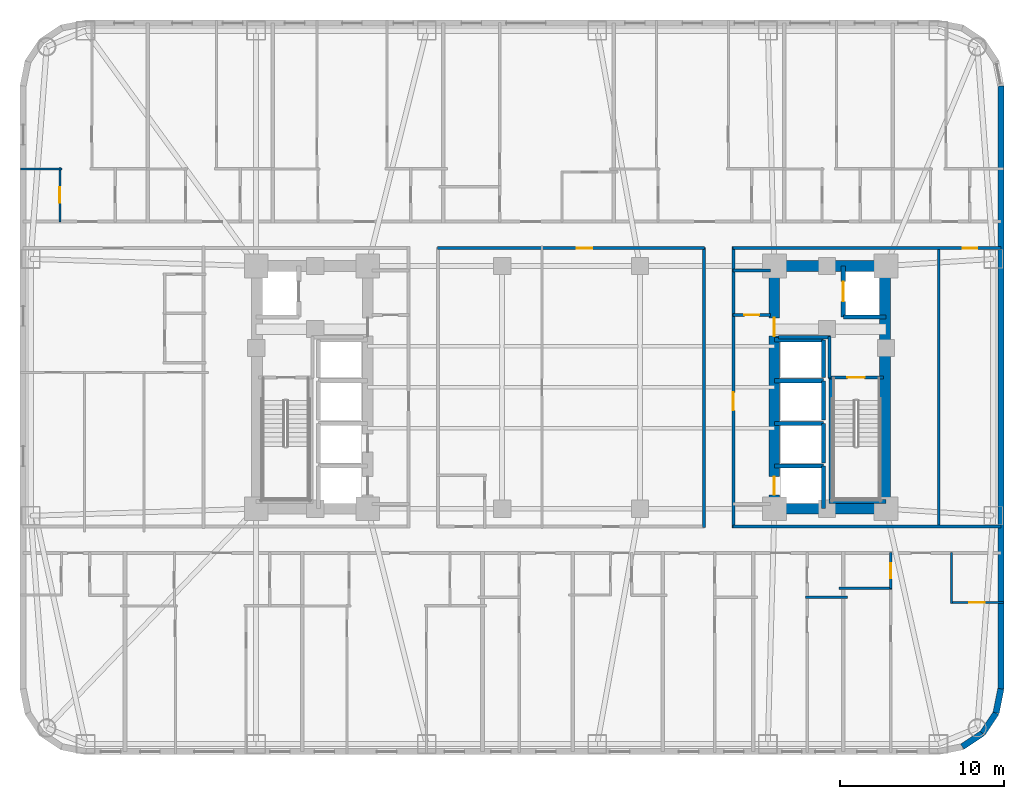
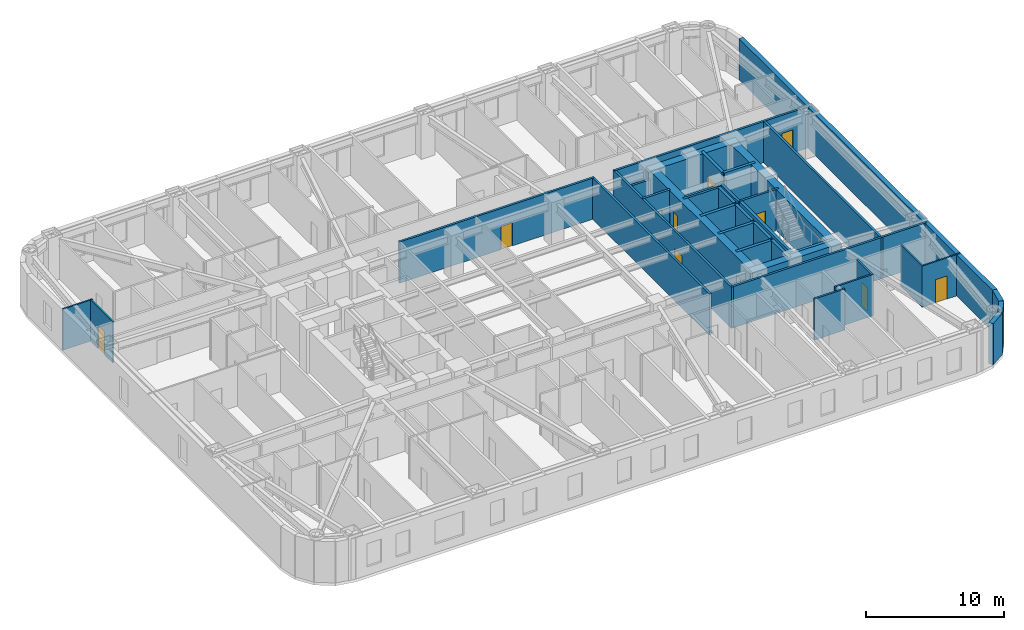
# One storey, part 6 of 11: 38 walls, 11 doors, 11 openings.
"""IFC4 building model written with IfcOpenShell, lengths in metres."""

from ifc_helpers import new_model, si_unit, direction, frame, frame_2d, origin, place, context, subcontext, project, spatial, rectangle, extrude, material, layer, layer_set, type_object, element, fill, save


model = new_model("IFC4")

# Units and contexts
model_context = context("Model", 3, precision=1e-05, world=origin(), true_north=direction((0.0, 1.0)))
body_context = subcontext(model_context, "Body", "Model", "MODEL_VIEW")
ifc_project = project(units=[si_unit("LENGTHUNIT", "METRE"), si_unit("AREAUNIT", "SQUARE_METRE"), si_unit("VOLUMEUNIT", "CUBIC_METRE"), si_unit("PLANEANGLEUNIT", "RADIAN"), si_unit("MASSUNIT", "GRAM", prefix="KILO")], contexts=[model_context])

# Site, building, storey
site_placement = place(None, origin())
site = spatial("IfcSite", under=ifc_project, at=site_placement, CompositionType="ELEMENT")
building_placement = place(site_placement, origin())
building = spatial("IfcBuilding", under=site, at=building_placement, Name="Voryun Gate Residences", CompositionType="ELEMENT")
storey_placement = place(building_placement, frame((0.0, 0.0, 45.5)))
storey = spatial("IfcBuildingStorey", under=building, at=storey_placement, Name="L10", CompositionType="ELEMENT", Elevation=45.5)

# Walls
ifc_material_1 = material(Name="Concrete C60/75", Category="concrete")
ifc_layer_1 = layer(ifc_material_1, 0.64990234375, Name="CW_CORE_650")
ifc_layer_set_1 = layer_set([ifc_layer_1], Name="Concrete C60/75")
wall_type_1 = type_object("IfcWallType", Name="CW_CORE_650", PredefinedType="SHEAR", material=ifc_layer_set_1)
for number, where, z_axis, x_axis, name in (
    (1, (12.074951171875, -7.39990234375, 0.0), (0.0, 0.0, 1.0), (1.0, 0.0, 0.0), "L10 Core shear wall CW-L10-ES"),
    (2, (12.074951171875, 7.39990234375, 0.0), (0.0, 0.0, 1.0), (1.0, 0.0, 0.0), "L10 Core shear wall CW-L10-EN"),
):
    element("IfcWall", number, at=place(storey_placement, frame(where, z_axis=z_axis, x_axis=x_axis)), inside=storey, type_object=wall_type_1, Name=name, PredefinedType="SHEAR", context=body_context, shape_type="SweptSolid", body=[
        extrude(rectangle(XDim=7.449951171875, YDim=0.64990234375, at=frame_2d((3.72509765625, 0.0))), origin(), (0.0, 0.0, 1.0), 3.64990234375),
    ])

# Wall, openings, doors
wall_1_placement = place(storey_placement, frame((12.39990234375, -7.39990234375, 0.0), z_axis=(0.0, 0.0, 1.0), x_axis=(0.0, 1.0, 0.0)))
wall_1 = element("IfcWall", 3, at=wall_1_placement, inside=storey, type_object=wall_type_1, Name="L10 Core shear wall CW-L10-EW", PredefinedType="SHEAR", context=body_context, shape_type="SweptSolid", body=[
    extrude(rectangle(XDim=14.7998046875, YDim=0.64990234375, at=frame_2d((7.39990234375, 0.0))), origin(), (0.0, 0.0, 1.0), 3.64990234375),
])
opening_1_placement = place(wall_1_placement, frame((0.85009765625, 0.0, 0.0)))
opening_1 = element("IfcOpeningElement", 4, at=opening_1_placement, cuts=wall_1, Name="Opening LD2", PredefinedType="OPENING", context=body_context, shape_type="SweptSolid", body=[
    extrude(rectangle(XDim=1.10009765625, YDim=2.050048828125, at=frame_2d((0.550048828125, 1.02490234375))), frame((0.0, 0.3349609375, 0.0), z_axis=(0.0, -1.0, 0.0), x_axis=(1.0, 0.0, 0.0)), (0.0, 0.0, 1.0), 0.669921875),
])
opening_2_placement = place(wall_1_placement, frame((10.530029296875, 0.0, 0.0)))
opening_2 = element("IfcOpeningElement", 5, at=opening_2_placement, cuts=wall_1, Name="Opening D-FD60-2", PredefinedType="OPENING", context=body_context, shape_type="SweptSolid", body=[
    extrude(rectangle(XDim=1.10009765625, YDim=2.050048828125, at=frame_2d((0.550048828125, 1.02490234375))), frame((0.0, 0.3349609375, 0.0), z_axis=(0.0, -1.0, 0.0), x_axis=(1.0, 0.0, 0.0)), (0.0, 0.0, 1.0), 0.669921875),
])
ifc_material_2 = material(Name="Painted steel fire door", Category="steel")
door_type_1 = type_object("IfcDoorType", Name="DR_FD60_FFLOB_1100", OperationType="NOTDEFINED", PredefinedType="DOOR", material=ifc_material_2)
door_1_placement = place(opening_2_placement, origin())
door_1 = element("IfcDoor", 6, at=door_1_placement, inside=storey, type_object=door_type_1, Name="Door DR-L10-CLOB-E", OperationType="SINGLE_SWING_RIGHT", OverallHeight=2.050048828125, OverallWidth=1.10009765625, PredefinedType="DOOR", context=body_context, shape_type="SweptSolid", body=[
    extrude(rectangle(XDim=1.10009765625, YDim=2.050048828125, at=frame_2d((0.550048828125, 1.02490234375))), frame((0.0, 0.02490234375, 0.0), z_axis=(0.0, -1.0, 0.0), x_axis=(1.0, 0.0, 0.0)), (0.0, 0.0, 1.0), 0.050048828125),
])
fill(opening_2, door_1)
ifc_material_3 = material(Name="Anodised aluminium", Category="aluminium")
door_type_2 = type_object("IfcDoorType", Name="DR_LD_PASS_1100", OperationType="NOTDEFINED", PredefinedType="DOOR", material=ifc_material_3)
door_2_placement = place(opening_1_placement, origin())
door_2 = element("IfcDoor", 7, at=door_2_placement, inside=storey, type_object=door_type_2, Name="Lift EL-P3 sliding landing door L10", OperationType="SLIDING_TO_LEFT", OverallHeight=2.050048828125, OverallWidth=1.10009765625, PredefinedType="DOOR", context=body_context, shape_type="SweptSolid", body=[
    extrude(rectangle(XDim=1.10009765625, YDim=2.050048828125, at=frame_2d((0.550048828125, 1.02490234375))), frame((0.0, 0.02490234375, 0.0), z_axis=(0.0, -1.0, 0.0), x_axis=(1.0, 0.0, 0.0)), (0.0, 0.0, 1.0), 0.050048828125),
])
fill(opening_1, door_2)

# Wall
wall_2_placement = place(storey_placement, frame((19.14501953125, -7.39990234375, 0.0), z_axis=(0.0, 0.0, 1.0), x_axis=(0.0, 1.0, 0.0)))
element("IfcWall", 8, at=wall_2_placement, inside=storey, type_object=wall_type_1, Name="L10 Core shear wall CW-L10-EE", PredefinedType="SHEAR", context=body_context, shape_type="SweptSolid", body=[
    extrude(rectangle(XDim=14.7998046875, YDim=0.64990234375, at=frame_2d((7.39990234375, 0.0))), origin(), (0.0, 0.0, 1.0), 3.64990234375),
])

# Wall, opening, door
ifc_material_4 = material(Name="Gypsum acoustic fireboard")
ifc_layer_2 = layer(ifc_material_4, 0.179931640625, Name="W_CORR_RATED_180")
ifc_layer_set_2 = layer_set([ifc_layer_2], Name="Gypsum acoustic fireboard")
wall_type_2 = type_object("IfcWallType", Name="W_CORR_RATED_180", PredefinedType="PARTITIONING", material=ifc_layer_set_2)
wall_3_placement = place(storey_placement, frame((15.699951171875, 0.60009765625, 0.0), z_axis=(0.0, 0.0, 1.0), x_axis=(1.0, 0.0, 0.0)))
wall_3 = element("IfcWall", 9, at=wall_3_placement, inside=storey, type_object=wall_type_2, Name="Partition wall WP-L10-STV-E", PredefinedType="PARTITIONING", context=body_context, shape_type="SweptSolid", body=[
    extrude(rectangle(XDim=3.360107421875, YDim=0.179931640625, at=frame_2d((1.68017578125, 0.0))), origin(), (0.0, 0.0, 1.0), 3.64990234375),
])
opening_3_placement = place(wall_3_placement, frame((1.155029296875, 0.0, 0.0)))
opening_3 = element("IfcOpeningElement", 10, at=opening_3_placement, cuts=wall_3, Name="Opening D-FD60-1", PredefinedType="OPENING", context=body_context, shape_type="SweptSolid", body=[
    extrude(rectangle(XDim=1.050048828125, YDim=2.050048828125, at=frame_2d((0.52490234375, 1.02490234375))), frame((0.0, 0.099853515625, 0.0), z_axis=(0.0, -1.0, 0.0), x_axis=(1.0, 0.0, 0.0)), (0.0, 0.0, 1.0), 0.199951171875),
])
ifc_material_5 = material(Name="Painted steel fire door", Category="steel")
door_type_3 = type_object("IfcDoorType", Name="DR_FD60_STAIR_1050", OperationType="NOTDEFINED", PredefinedType="DOOR", material=ifc_material_5)
door_3_placement = place(opening_3_placement, origin())
door_3 = element("IfcDoor", 11, at=door_3_placement, inside=storey, type_object=door_type_3, Name="Door DR-L10-ST-E", OperationType="SINGLE_SWING_RIGHT", OverallHeight=2.050048828125, OverallWidth=1.050048828125, PredefinedType="DOOR", context=body_context, shape_type="SweptSolid", body=[
    extrude(rectangle(XDim=1.050048828125, YDim=2.050048828125, at=frame_2d((0.52490234375, 1.02490234375))), frame((0.0, 0.02490234375, 0.0), z_axis=(0.0, -1.0, 0.0), x_axis=(1.0, 0.0, 0.0)), (0.0, 0.0, 1.0), 0.050048828125),
])
fill(opening_3, door_3)

# Wall
wall_4_placement = place(storey_placement, frame((9.8798828125, 7.1201171875, 0.0), z_axis=(0.0, 0.0, 1.0), x_axis=(1.0, 0.0, 0.0)))
element("IfcWall", 12, at=wall_4_placement, inside=storey, type_object=wall_type_2, Name="Partition wall WP-L10-PLBN-E", PredefinedType="PARTITIONING", context=body_context, shape_type="SweptSolid", body=[
    extrude(rectangle(XDim=2.27001953125, YDim=0.179931640625, at=frame_2d((1.135009765625, 0.0))), origin(), (0.0, 0.0, 1.0), 2.93994140625),
])

# Wall, opening, door
wall_5_placement = place(storey_placement, frame((9.89990234375, -8.580078125, 0.0), z_axis=(0.0, 0.0, 1.0), x_axis=(0.0, 1.0, 0.0)))
wall_5 = element("IfcWall", 13, at=wall_5_placement, inside=storey, type_object=wall_type_2, Name="Partition wall WP-L10-PLBE-FULL", PredefinedType="PARTITIONING", context=body_context, shape_type="SweptSolid", body=[
    extrude(rectangle(XDim=17.16015625, YDim=0.179931640625, at=frame_2d((8.580078125, 0.0))), origin(), (0.0, 0.0, 1.0), 3.64990234375),
])
opening_4_placement = place(wall_5_placement, frame((7.172119140625, 0.0, 0.0)))
opening_4 = element("IfcOpeningElement", 14, at=opening_4_placement, cuts=wall_5, Name="Opening D-FD60-2", PredefinedType="OPENING", context=body_context, shape_type="SweptSolid", body=[
    extrude(rectangle(XDim=1.10009765625, YDim=2.050048828125, at=frame_2d((0.550048828125, 1.02490234375))), frame((0.0, 0.099853515625, 0.0), z_axis=(0.0, -1.0, 0.0), x_axis=(1.0, 0.0, 0.0)), (0.0, 0.0, 1.0), 0.199951171875),
])
door_4_placement = place(opening_4_placement, origin())
door_4 = element("IfcDoor", 15, at=door_4_placement, inside=storey, type_object=door_type_1, Name="Door DR-L10-PLBE-COR", OperationType="SINGLE_SWING_RIGHT", OverallHeight=2.050048828125, OverallWidth=1.10009765625, PredefinedType="DOOR", context=body_context, shape_type="SweptSolid", body=[
    extrude(rectangle(XDim=1.10009765625, YDim=2.050048828125, at=frame_2d((0.550048828125, 1.02490234375))), frame((0.0, 0.02490234375, 0.0), z_axis=(0.0, -1.0, 0.0), x_axis=(1.0, 0.0, 0.0)), (0.0, 0.0, 1.0), 0.050048828125),
])
fill(opening_4, door_4)

wall_6_placement = place(storey_placement, frame((9.8798828125, 8.489990234375, 0.0), z_axis=(0.0, 0.0, 1.0), x_axis=(1.0, 0.0, 0.0)))
wall_6 = element("IfcWall", 16, at=wall_6_placement, inside=storey, type_object=wall_type_2, Name="Partition wall WP-L10-CWING-EN", PredefinedType="PARTITIONING", context=body_context, shape_type="SweptSolid", body=[
    extrude(rectangle(XDim=16.330078125, YDim=0.179931640625, at=frame_2d((8.1650390625, 0.0))), origin(), (0.0, 0.0, 1.0), 3.64990234375),
])
opening_5_placement = place(wall_6_placement, frame((13.990478515625, 0.0, 0.0)))
opening_5 = element("IfcOpeningElement", 17, at=opening_5_placement, cuts=wall_6, Name="Opening D-INT-2", PredefinedType="OPENING", context=body_context, shape_type="SweptSolid", body=[
    extrude(rectangle(XDim=0.89990234375, YDim=2.050048828125, at=frame_2d((0.449951171875, 1.02490234375))), frame((0.0, 0.099853515625, 0.0), z_axis=(0.0, -1.0, 0.0), x_axis=(1.0, 0.0, 0.0)), (0.0, 0.0, 1.0), 0.199951171875),
])
ifc_material_6 = material(Name="Architectural oak veneer")
door_type_4 = type_object("IfcDoorType", Name="DR_INT_BATH_900", OperationType="NOTDEFINED", PredefinedType="DOOR", material=ifc_material_6)
door_5_placement = place(opening_5_placement, origin())
door_5 = element("IfcDoor", 18, at=door_5_placement, inside=storey, type_object=door_type_4, Name="Door DR-L10-EE1N", OperationType="SINGLE_SWING_LEFT", OverallHeight=2.050048828125, OverallWidth=0.89990234375, PredefinedType="DOOR", context=body_context, shape_type="SweptSolid", body=[
    extrude(rectangle(XDim=0.89990234375, YDim=2.050048828125, at=frame_2d((0.449951171875, 1.02490234375))), frame((0.0, 0.02490234375, 0.0), z_axis=(0.0, -1.0, 0.0), x_axis=(1.0, 0.0, 0.0)), (0.0, 0.0, 1.0), 0.050048828125),
])
fill(opening_5, door_5)

# Wall
wall_7_placement = place(storey_placement, frame((9.8798828125, -8.489990234375, 0.0), z_axis=(0.0, 0.0, 1.0), x_axis=(1.0, 0.0, 0.0)))
element("IfcWall", 19, at=wall_7_placement, inside=storey, type_object=wall_type_2, Name="Partition wall WP-L10-CWING-ES", PredefinedType="PARTITIONING", context=body_context, shape_type="SweptSolid", body=[
    extrude(rectangle(XDim=16.330078125, YDim=0.179931640625, at=frame_2d((8.1650390625, 0.0))), origin(), (0.0, 0.0, 1.0), 3.64990234375),
])

# Wall, opening, door
wall_8_placement = place(storey_placement, frame((-8.14990234375, 8.489990234375, 0.0), z_axis=(0.0, 0.0, 1.0), x_axis=(1.0, 0.0, 0.0)))
wall_8 = element("IfcWall", 20, at=wall_8_placement, inside=storey, type_object=wall_type_2, Name="Partition wall WP-L10-Z1N", PredefinedType="PARTITIONING", context=body_context, shape_type="SweptSolid", body=[
    extrude(rectangle(XDim=16.2998046875, YDim=0.179931640625, at=frame_2d((8.14990234375, 0.0))), origin(), (0.0, 0.0, 1.0), 3.64990234375),
])
opening_6_placement = place(wall_8_placement, frame((8.489990234375, 0.0, 0.0)))
opening_6 = element("IfcOpeningElement", 21, at=opening_6_placement, cuts=wall_8, Name="Opening D-INT-1", PredefinedType="OPENING", context=body_context, shape_type="SweptSolid", body=[
    extrude(rectangle(XDim=0.949951171875, YDim=2.050048828125, at=frame_2d((0.47509765625, 1.02490234375))), frame((0.0, 0.099853515625, 0.0), z_axis=(0.0, -1.0, 0.0), x_axis=(1.0, 0.0, 0.0)), (0.0, 0.0, 1.0), 0.199951171875),
])
ifc_material_7 = material(Name="Architectural oak veneer")
door_type_5 = type_object("IfcDoorType", Name="DR_INT_ROOM_950", OperationType="NOTDEFINED", PredefinedType="DOOR", material=ifc_material_7)
door_6_placement = place(opening_6_placement, origin())
door_6 = element("IfcDoor", 22, at=door_6_placement, inside=storey, type_object=door_type_5, Name="Door DR-L10-CMIDZ1N", OperationType="SINGLE_SWING_LEFT", OverallHeight=2.050048828125, OverallWidth=0.949951171875, PredefinedType="DOOR", context=body_context, shape_type="SweptSolid", body=[
    extrude(rectangle(XDim=0.949951171875, YDim=2.050048828125, at=frame_2d((0.47509765625, 1.02490234375))), frame((0.0, 0.02490234375, 0.0), z_axis=(0.0, -1.0, 0.0), x_axis=(1.0, 0.0, 0.0)), (0.0, 0.0, 1.0), 0.050048828125),
])
fill(opening_6, door_6)

# Walls
wall_9_placement = place(storey_placement, frame((8.10009765625, -8.530029296875, 0.0), z_axis=(0.0, 0.0, 1.0), x_axis=(0.0, 1.0, 0.0)))
element("IfcWall", 23, at=wall_9_placement, inside=storey, type_object=wall_type_2, Name="Partition wall WP-L10-Z1E", PredefinedType="PARTITIONING", context=body_context, shape_type="SweptSolid", body=[
    extrude(rectangle(XDim=17.06005859375, YDim=0.179931640625, at=frame_2d((8.530029296875, 0.0))), origin(), (0.0, 0.0, 1.0), 3.64990234375),
])
wall_10_placement = place(storey_placement, frame((22.419921875, -8.580078125, 0.0), z_axis=(0.0, 0.0, 1.0), x_axis=(0.0, 1.0, 0.0)))
element("IfcWall", 24, at=wall_10_placement, inside=storey, type_object=wall_type_2, Name="Partition wall WP-L10-EEND", PredefinedType="PARTITIONING", context=body_context, shape_type="SweptSolid", body=[
    extrude(rectangle(XDim=17.16015625, YDim=0.179931640625, at=frame_2d((8.580078125, 0.0))), origin(), (0.0, 0.0, 1.0), 3.64990234375),
])
ifc_material_8 = material(Name="Granite masonry", Category="masonry")
ifc_layer_3 = layer(ifc_material_8, 0.3798828125, Name="W_EXT_GRANITE_380")
ifc_layer_set_3 = layer_set([ifc_layer_3], Name="Granite masonry")
wall_type_3 = type_object("IfcWallType", Name="W_EXT_GRANITE_380", PredefinedType="ELEMENTEDWALL", material=ifc_layer_set_3)
wall_11_placement = place(storey_placement, frame((26.2099609375, 18.38134765625, 0.0), z_axis=(0.0, 0.0, 1.0), x_axis=(0.0, -1.0, 0.0)))
element("IfcWall", 25, at=wall_11_placement, inside=storey, type_object=wall_type_3, Name="Exterior wall WEXT-L10-16", PredefinedType="ELEMENTEDWALL", context=body_context, shape_type="SweptSolid", body=[
    extrude(rectangle(XDim=36.7626953125, YDim=0.3798828125, at=frame_2d((18.38134765625, 0.0))), origin(), (0.0, 0.0, 1.0), 3.64990234375),
])
wall_12_placement = place(storey_placement, frame((26.2099609375, -18.38134765625, 0.0), z_axis=(0.0, 0.0, 1.0), x_axis=(-0.195086038585, -0.980786132421, 0.0)))
element("IfcWall", 26, at=wall_12_placement, inside=storey, type_object=wall_type_3, Name="Exterior wall WEXT-L10-17", PredefinedType="ELEMENTEDWALL", context=body_context, shape_type="SweptSolid", body=[
    extrude(rectangle(XDim=1.504150390625, YDim=0.3798828125, at=frame_2d((0.751953125, 0.0))), origin(), (0.0, 0.0, 1.0), 3.64990234375),
])
for number, where, z_axis, x_axis, name in (
    (27, (25.91650390625, -19.856689453125, 0.0), (0.0, 0.0, 1.0), (-0.555686231674, -0.831392092774, 0.0), "Exterior wall WEXT-L10-18"),
    (28, (25.09130859375, -21.09130859375, 0.0), (0.0, 0.0, 1.0), (-0.831392092774, -0.555686231674, 0.0), "Exterior wall WEXT-L10-19"),
):
    element("IfcWall", number, at=place(storey_placement, frame(where, z_axis=z_axis, x_axis=x_axis)), inside=storey, type_object=wall_type_3, Name=name, PredefinedType="ELEMENTEDWALL", context=body_context, shape_type="SweptSolid", body=[
        extrude(rectangle(XDim=1.485107421875, YDim=0.3798828125, at=frame_2d((0.74267578125, 0.0))), origin(), (0.0, 0.0, 1.0), 3.64990234375),
    ])
ifc_material_9 = material(Name="Concrete C40/50", Category="concrete")
ifc_layer_4 = layer(ifc_material_9, 0.199951171875, Name="W_FF_LOBBY_200")
ifc_layer_set_4 = layer_set([ifc_layer_4], Name="Concrete C40/50")
wall_type_4 = type_object("IfcWallType", Name="W_FF_LOBBY_200", PredefinedType="PARTITIONING", material=ifc_layer_set_4)
wall_13_placement = place(storey_placement, frame((15.760009765625, 0.580078125, 0.0), z_axis=(0.0, 0.0, 1.0), x_axis=(0.0, 1.0, 0.0)))
element("IfcWall", 29, at=wall_13_placement, inside=storey, type_object=wall_type_4, Name="Partition wall WP-L10-FFP0-E", PredefinedType="PARTITIONING", context=body_context, shape_type="SweptSolid", body=[
    extrude(rectangle(XDim=2.52001953125, YDim=0.199951171875, at=frame_2d((1.260009765625, 0.0))), origin(), (0.0, 0.0, 1.0), 3.64990234375),
])
wall_14_placement = place(storey_placement, frame((12.659912109375, 3.06005859375, 0.0), z_axis=(0.0, 0.0, 1.0), x_axis=(1.0, 0.0, 0.0)))
element("IfcWall", 30, at=wall_14_placement, inside=storey, type_object=wall_type_4, Name="Partition wall WP-L10-FFPS-E", PredefinedType="PARTITIONING", context=body_context, shape_type="SweptSolid", body=[
    extrude(rectangle(XDim=3.16015625, YDim=0.199951171875, at=frame_2d((1.580078125, 0.0))), origin(), (0.0, 0.0, 1.0), 3.64990234375),
])

# Wall, opening, door
wall_15_placement = place(storey_placement, frame((9.8798828125, 4.409912109375, 0.0), z_axis=(0.0, 0.0, 1.0), x_axis=(1.0, 0.0, 0.0)))
wall_15 = element("IfcWall", 31, at=wall_15_placement, inside=storey, type_object=wall_type_4, Name="Partition wall WP-L10-CSFLKS-E", PredefinedType="PARTITIONING", context=body_context, shape_type="SweptSolid", body=[
    extrude(rectangle(XDim=2.27001953125, YDim=0.199951171875, at=frame_2d((1.135009765625, 0.0))), origin(), (0.0, 0.0, 1.0), 3.64990234375),
])
opening_7_placement = place(wall_15_placement, frame((0.68505859375, 0.0, 0.0)))
opening_7 = element("IfcOpeningElement", 32, at=opening_7_placement, cuts=wall_15, Name="Opening D-FD60-4", PredefinedType="OPENING", context=body_context, shape_type="SweptSolid", body=[
    extrude(rectangle(XDim=0.89990234375, YDim=2.050048828125, at=frame_2d((0.449951171875, 1.02490234375))), frame((0.0, 0.110107421875, 0.0), z_axis=(0.0, -1.0, 0.0), x_axis=(1.0, 0.0, 0.0)), (0.0, 0.0, 1.0), 0.219970703125),
])
ifc_material_10 = material(Name="Painted steel fire door", Category="steel")
door_type_6 = type_object("IfcDoorType", Name="DR_FD60_RISER_900", OperationType="NOTDEFINED", PredefinedType="DOOR", material=ifc_material_10)
door_7_placement = place(opening_7_placement, origin())
door_7 = element("IfcDoor", 33, at=door_7_placement, inside=storey, type_object=door_type_6, Name="Door DR-L10-CSFLK-E", OperationType="SINGLE_SWING_RIGHT", OverallHeight=2.050048828125, OverallWidth=0.89990234375, PredefinedType="DOOR", context=body_context, shape_type="SweptSolid", body=[
    extrude(rectangle(XDim=0.89990234375, YDim=2.050048828125, at=frame_2d((0.449951171875, 1.02490234375))), frame((0.0, 0.02490234375, 0.0), z_axis=(0.0, -1.0, 0.0), x_axis=(1.0, 0.0, 0.0)), (0.0, 0.0, 1.0), 0.050048828125),
])
fill(opening_7, door_7)

# Walls
ifc_material_11 = material(Name="Concrete C50/60", Category="concrete")
ifc_layer_5 = layer(ifc_material_11, 0.25, Name="W_SHAFT_RC250")
ifc_layer_set_5 = layer_set([ifc_layer_5], Name="Concrete C50/60")
wall_type_5 = type_object("IfcWallType", Name="W_SHAFT_RC250", PredefinedType="SOLIDWALL", material=ifc_layer_set_5)
wall_16_placement = place(storey_placement, frame((15.860107421875, -7.0849609375, 0.0), z_axis=(0.0, 0.0, 1.0), x_axis=(0.0, 1.0, 0.0)))
element("IfcWall", 34, at=wall_16_placement, inside=storey, type_object=wall_type_5, Name="L10 Stair shaft structural wall E-STL", PredefinedType="SOLIDWALL", context=body_context, shape_type="SweptSolid", body=[
    extrude(rectangle(XDim=7.68505859375, YDim=0.25, at=frame_2d((3.842529296875, 0.0))), origin(), (0.0, 0.0, 1.0), 3.64990234375),
])
wall_17_placement = place(storey_placement, frame((15.739990234375, -6.965087890625, 0.0), z_axis=(0.0, 0.0, 1.0), x_axis=(1.0, 0.0, 0.0)))
element("IfcWall", 35, at=wall_17_placement, inside=storey, type_object=wall_type_5, Name="L10 Stair shaft structural wall E-STS", PredefinedType="SOLIDWALL", context=body_context, shape_type="SweptSolid", body=[
    extrude(rectangle(XDim=3.4599609375, YDim=0.25, at=frame_2d((1.72998046875, 0.0))), origin(), (0.0, 0.0, 1.0), 3.64990234375),
])
wall_18_placement = place(storey_placement, frame((16.60009765625, 4.300048828125, 0.0), z_axis=(0.0, 0.0, 1.0), x_axis=(1.0, 0.0, 0.0)))
element("IfcWall", 36, at=wall_18_placement, inside=storey, type_object=wall_type_5, Name="Lift shaft wall WSH-L10-EL-FF-E1-S", PredefinedType="SOLIDWALL", context=body_context, shape_type="SweptSolid", body=[
    extrude(rectangle(XDim=2.599853515625, YDim=0.25, at=frame_2d((1.2998046875, 0.0))), origin(), (0.0, 0.0, 1.0), 3.64990234375),
])

# Wall, opening, door
wall_19_placement = place(storey_placement, frame((16.60009765625, 7.39990234375, 0.0), z_axis=(0.0, 0.0, 1.0), x_axis=(0.0, -1.0, 0.0)))
wall_19 = element("IfcWall", 37, at=wall_19_placement, inside=storey, type_object=wall_type_5, Name="Lift shaft wall WSH-L10-EL-FF-E1-W", PredefinedType="SOLIDWALL", context=body_context, shape_type="SweptSolid", body=[
    extrude(rectangle(XDim=3.099853515625, YDim=0.25, at=frame_2d((1.5498046875, 0.0))), origin(), (0.0, 0.0, 1.0), 3.64990234375),
])
opening_8_placement = place(wall_19_placement, frame((0.949951171875, 0.0, 0.0)))
opening_8 = element("IfcOpeningElement", 38, at=opening_8_placement, cuts=wall_19, Name="Opening LD1", PredefinedType="OPENING", context=body_context, shape_type="SweptSolid", body=[
    extrude(rectangle(XDim=1.199951171875, YDim=2.050048828125, at=frame_2d((0.60009765625, 1.02490234375))), frame((0.0, 0.135009765625, 0.0), z_axis=(0.0, -1.0, 0.0), x_axis=(1.0, 0.0, 0.0)), (0.0, 0.0, 1.0), 0.27001953125),
])
ifc_material_12 = material(Name="Anodised aluminium", Category="aluminium")
door_type_7 = type_object("IfcDoorType", Name="DR_LD_FF_1200", OperationType="NOTDEFINED", PredefinedType="DOOR", material=ifc_material_12)
door_8_placement = place(opening_8_placement, origin())
door_8 = element("IfcDoor", 39, at=door_8_placement, inside=storey, type_object=door_type_7, Name="Lift EL-FF-E1 sliding landing door L10", OperationType="SLIDING_TO_LEFT", OverallHeight=2.050048828125, OverallWidth=1.199951171875, PredefinedType="DOOR", context=body_context, shape_type="SweptSolid", body=[
    extrude(rectangle(XDim=1.199951171875, YDim=2.050048828125, at=frame_2d((0.60009765625, 1.02490234375))), frame((0.0, 0.02490234375, 0.0), z_axis=(0.0, -1.0, 0.0), x_axis=(1.0, 0.0, 0.0)), (0.0, 0.0, 1.0), 0.050048828125),
])
fill(opening_8, door_8)

# Walls
wall_20_placement = place(storey_placement, frame((15.39990234375, -7.39990234375, 0.0), z_axis=(0.0, 0.0, 1.0), x_axis=(0.0, 1.0, 0.0)))
element("IfcWall", 40, at=wall_20_placement, inside=storey, type_object=wall_type_5, Name="Lift shaft wall WSH-L10-EL-P3-E", PredefinedType="SOLIDWALL", context=body_context, shape_type="SweptSolid", body=[
    extrude(rectangle(XDim=2.599853515625, YDim=0.25, at=frame_2d((1.2998046875, 0.0))), origin(), (0.0, 0.0, 1.0), 3.64990234375),
])
wall_21_placement = place(storey_placement, frame((15.39990234375, -4.800048828125, 0.0), z_axis=(0.0, 0.0, 1.0), x_axis=(-1.0, 0.0, 0.0)))
element("IfcWall", 41, at=wall_21_placement, inside=storey, type_object=wall_type_5, Name="Lift shaft wall WSH-L10-EL-P3-N", PredefinedType="SOLIDWALL", context=body_context, shape_type="SweptSolid", body=[
    extrude(rectangle(XDim=3.0, YDim=0.25, at=frame_2d((1.5, 0.0))), origin(), (0.0, 0.0, 1.0), 3.64990234375),
])
wall_22_placement = place(storey_placement, frame((15.39990234375, -4.60009765625, 0.0), z_axis=(0.0, 0.0, 1.0), x_axis=(0.0, 1.0, 0.0)))
element("IfcWall", 42, at=wall_22_placement, inside=storey, type_object=wall_type_5, Name="Lift shaft wall WSH-L10-EL-P5-E", PredefinedType="SOLIDWALL", context=body_context, shape_type="SweptSolid", body=[
    extrude(rectangle(XDim=2.400146484375, YDim=0.25, at=frame_2d((1.2001953125, 0.0))), origin(), (0.0, 0.0, 1.0), 3.64990234375),
])
wall_23_placement = place(storey_placement, frame((15.39990234375, -2.199951171875, 0.0), z_axis=(0.0, 0.0, 1.0), x_axis=(-1.0, 0.0, 0.0)))
element("IfcWall", 43, at=wall_23_placement, inside=storey, type_object=wall_type_5, Name="Lift shaft wall WSH-L10-EL-P5-N", PredefinedType="SOLIDWALL", context=body_context, shape_type="SweptSolid", body=[
    extrude(rectangle(XDim=3.0, YDim=0.25, at=frame_2d((1.5, 0.0))), origin(), (0.0, 0.0, 1.0), 3.64990234375),
])
wall_24_placement = place(storey_placement, frame((15.39990234375, -2.0, 0.0), z_axis=(0.0, 0.0, 1.0), x_axis=(0.0, 1.0, 0.0)))
element("IfcWall", 44, at=wall_24_placement, inside=storey, type_object=wall_type_5, Name="Lift shaft wall WSH-L10-EL-P6-E", PredefinedType="SOLIDWALL", context=body_context, shape_type="SweptSolid", body=[
    extrude(rectangle(XDim=2.39990234375, YDim=0.25, at=frame_2d((1.199951171875, 0.0))), origin(), (0.0, 0.0, 1.0), 3.64990234375),
])
wall_25_placement = place(storey_placement, frame((15.39990234375, 0.39990234375, 0.0), z_axis=(0.0, 0.0, 1.0), x_axis=(-1.0, 0.0, 0.0)))
element("IfcWall", 45, at=wall_25_placement, inside=storey, type_object=wall_type_5, Name="Lift shaft wall WSH-L10-EL-P6-N", PredefinedType="SOLIDWALL", context=body_context, shape_type="SweptSolid", body=[
    extrude(rectangle(XDim=3.0, YDim=0.25, at=frame_2d((1.5, 0.0))), origin(), (0.0, 0.0, 1.0), 3.64990234375),
])
wall_26_placement = place(storey_placement, frame((15.39990234375, 0.60009765625, 0.0), z_axis=(0.0, 0.0, 1.0), x_axis=(0.0, 1.0, 0.0)))
element("IfcWall", 46, at=wall_26_placement, inside=storey, type_object=wall_type_5, Name="Lift shaft wall WSH-L10-EL-P8-E", PredefinedType="SOLIDWALL", context=body_context, shape_type="SweptSolid", body=[
    extrude(rectangle(XDim=2.2998046875, YDim=0.25, at=frame_2d((1.14990234375, 0.0))), origin(), (0.0, 0.0, 1.0), 3.64990234375),
])
wall_27_placement = place(storey_placement, frame((15.39990234375, 2.89990234375, 0.0), z_axis=(0.0, 0.0, 1.0), x_axis=(-1.0, 0.0, 0.0)))
element("IfcWall", 47, at=wall_27_placement, inside=storey, type_object=wall_type_5, Name="Lift shaft wall WSH-L10-EL-P8-N", PredefinedType="SOLIDWALL", context=body_context, shape_type="SweptSolid", body=[
    extrude(rectangle(XDim=3.0, YDim=0.25, at=frame_2d((1.5, 0.0))), origin(), (0.0, 0.0, 1.0), 3.64990234375),
])

# Wall, opening, door
ifc_material_13 = material(Name="Gypsum acoustic partition")
ifc_layer_6 = layer(ifc_material_13, 0.125, Name="W_UNIT_PART_125")
ifc_layer_set_6 = layer_set([ifc_layer_6], Name="Gypsum acoustic partition")
wall_type_6 = type_object("IfcWallType", Name="W_UNIT_PART_125", PredefinedType="PARTITIONING", material=ifc_layer_set_6)
wall_28_placement = place(storey_placement, frame((-31.16796875, 10.080078125, 0.0), z_axis=(0.0, 0.0, 1.0), x_axis=(0.0, 1.0, 0.0)))
wall_28 = element("IfcWall", 48, at=wall_28_placement, inside=storey, type_object=wall_type_6, Name="Partition wall WP-L10-N1-IVK", PredefinedType="PARTITIONING", context=body_context, shape_type="SweptSolid", body=[
    extrude(rectangle(XDim=3.31982421875, YDim=0.125, at=frame_2d((1.659912109375, 0.0))), origin(), (0.0, 0.0, 1.0), 3.64990234375),
])
opening_9_placement = place(wall_28_placement, frame((1.18505859375, 0.0, 0.0)))
opening_9 = element("IfcOpeningElement", 49, at=opening_9_placement, cuts=wall_28, Name="Opening D-INT-1", PredefinedType="OPENING", context=body_context, shape_type="SweptSolid", body=[
    extrude(rectangle(XDim=0.949951171875, YDim=2.050048828125, at=frame_2d((0.47509765625, 1.02490234375))), frame((0.0, 0.072509765625, 0.0), z_axis=(0.0, -1.0, 0.0), x_axis=(1.0, 0.0, 0.0)), (0.0, 0.0, 1.0), 0.14501953125),
])
door_9_placement = place(opening_9_placement, origin())
door_9 = element("IfcDoor", 50, at=door_9_placement, inside=storey, type_object=door_type_5, Name="Door DR-L10-N1-DK", OperationType="SINGLE_SWING_LEFT", OverallHeight=2.050048828125, OverallWidth=0.949951171875, PredefinedType="DOOR", context=body_context, shape_type="SweptSolid", body=[
    extrude(rectangle(XDim=0.949951171875, YDim=2.050048828125, at=frame_2d((0.47509765625, 1.02490234375))), frame((0.0, 0.02490234375, 0.0), z_axis=(0.0, -1.0, 0.0), x_axis=(1.0, 0.0, 0.0)), (0.0, 0.0, 1.0), 0.050048828125),
])
fill(opening_9, door_9)

# Wall
wall_29_placement = place(storey_placement, frame((-33.56005859375, 13.320068359375, 0.0), z_axis=(0.0, 0.0, 1.0), x_axis=(1.0, 0.0, 0.0)))
element("IfcWall", 51, at=wall_29_placement, inside=storey, type_object=wall_type_6, Name="Partition wall WP-L10-N1-HZK", PredefinedType="PARTITIONING", context=body_context, shape_type="SweptSolid", body=[
    extrude(rectangle(XDim=2.511962890625, YDim=0.125, at=frame_2d((1.255859375, 0.0))), origin(), (0.0, 0.0, 1.0), 3.64990234375),
])

# Wall, opening, door
wall_30_placement = place(storey_placement, frame((23.1298828125, -13.1201171875, 0.0), z_axis=(0.0, 0.0, 1.0), x_axis=(1.0, 0.0, 0.0)))
wall_30 = element("IfcWall", 52, at=wall_30_placement, inside=storey, type_object=wall_type_6, Name="Partition wall WP-L10-S8-KHY", PredefinedType="PARTITIONING", context=body_context, shape_type="SweptSolid", body=[
    extrude(rectangle(XDim=3.230224609375, YDim=0.125, at=frame_2d((1.615234375, 0.0))), origin(), (0.0, 0.0, 1.0), 3.64990234375),
])
opening_10_placement = place(wall_30_placement, frame((1.139892578125, 0.0, 0.0)))
opening_10 = element("IfcOpeningElement", 53, at=opening_10_placement, cuts=wall_30, Name="Opening D-INT-1", PredefinedType="OPENING", context=body_context, shape_type="SweptSolid", body=[
    extrude(rectangle(XDim=0.949951171875, YDim=2.050048828125, at=frame_2d((0.47509765625, 1.02490234375))), frame((0.0, 0.072509765625, 0.0), z_axis=(0.0, -1.0, 0.0), x_axis=(1.0, 0.0, 0.0)), (0.0, 0.0, 1.0), 0.14501953125),
])
door_10_placement = place(opening_10_placement, origin())
door_10 = element("IfcDoor", 54, at=door_10_placement, inside=storey, type_object=door_type_5, Name="Door DR-L10-S8-DK", OperationType="SINGLE_SWING_LEFT", OverallHeight=2.050048828125, OverallWidth=0.949951171875, PredefinedType="DOOR", context=body_context, shape_type="SweptSolid", body=[
    extrude(rectangle(XDim=0.949951171875, YDim=2.050048828125, at=frame_2d((0.47509765625, 1.02490234375))), frame((0.0, 0.02490234375, 0.0), z_axis=(0.0, -1.0, 0.0), x_axis=(1.0, 0.0, 0.0)), (0.0, 0.0, 1.0), 0.050048828125),
])
fill(opening_10, door_10)

# Walls
wall_31_placement = place(storey_placement, frame((23.18994140625, -13.179931640625, 0.0), z_axis=(0.0, 0.0, 1.0), x_axis=(0.0, 1.0, 0.0)))
element("IfcWall", 55, at=wall_31_placement, inside=storey, type_object=wall_type_6, Name="Partition wall WP-L10-S8-KVX", PredefinedType="PARTITIONING", context=body_context, shape_type="SweptSolid", body=[
    extrude(rectangle(XDim=3.099853515625, YDim=0.125, at=frame_2d((1.5498046875, 0.0))), origin(), (0.0, 0.0, 1.0), 3.64990234375),
])
ifc_material_14 = material(Name="Gypsum moisture-resistant partition")
ifc_layer_7 = layer(ifc_material_14, 0.14990234375, Name="W_WET_PLUMB_150")
ifc_layer_set_7 = layer_set([ifc_layer_7], Name="Gypsum moisture-resistant partition")
wall_type_7 = type_object("IfcWallType", Name="W_WET_PLUMB_150", PredefinedType="PLUMBINGWALL", material=ifc_layer_set_7)
wall_32_placement = place(storey_placement, frame((14.31005859375, -12.800048828125, 0.0), z_axis=(0.0, 0.0, 1.0), x_axis=(1.0, 0.0, 0.0)))
element("IfcWall", 56, at=wall_32_placement, inside=storey, type_object=wall_type_7, Name="Partition wall WP-L10-S7-SKB", PredefinedType="PLUMBINGWALL", context=body_context, shape_type="SweptSolid", body=[
    extrude(rectangle(XDim=2.550048828125, YDim=0.14990234375, at=frame_2d((1.27490234375, 0.0))), origin(), (0.0, 0.0, 1.0), 3.64990234375),
])
wall_33_placement = place(storey_placement, frame((16.340087890625, -12.239990234375, 0.0), z_axis=(0.0, 0.0, 1.0), x_axis=(1.0, 0.0, 0.0)))
element("IfcWall", 57, at=wall_33_placement, inside=storey, type_object=wall_type_7, Name="Partition wall WP-L10-S8-LHY", PredefinedType="PLUMBINGWALL", context=body_context, shape_type="SweptSolid", body=[
    extrude(rectangle(XDim=3.22900390625, YDim=0.14990234375, at=frame_2d((1.614501953125, 0.0))), origin(), (0.0, 0.0, 1.0), 3.64990234375),
])

# Wall, opening, door
wall_34_placement = place(storey_placement, frame((19.489013671875, -12.280029296875, 0.0), z_axis=(0.0, 0.0, 1.0), x_axis=(0.0, 1.0, 0.0)))
wall_34 = element("IfcWall", 58, at=wall_34_placement, inside=storey, type_object=wall_type_7, Name="Partition wall WP-L10-S8-LVX2", PredefinedType="PLUMBINGWALL", context=body_context, shape_type="SweptSolid", body=[
    extrude(rectangle(XDim=2.199951171875, YDim=0.14990234375, at=frame_2d((1.10009765625, 0.0))), origin(), (0.0, 0.0, 1.0), 3.64990234375),
])
opening_11_placement = place(wall_34_placement, frame((0.64990234375, 0.0, 0.0)))
opening_11 = element("IfcOpeningElement", 59, at=opening_11_placement, cuts=wall_34, Name="Opening D-INT-2", PredefinedType="OPENING", context=body_context, shape_type="SweptSolid", body=[
    extrude(rectangle(XDim=0.89990234375, YDim=2.050048828125, at=frame_2d((0.449951171875, 1.02490234375))), frame((0.0, 0.0849609375, 0.0), z_axis=(0.0, -1.0, 0.0), x_axis=(1.0, 0.0, 0.0)), (0.0, 0.0, 1.0), 0.169921875),
])
door_11_placement = place(opening_11_placement, origin())
door_11 = element("IfcDoor", 60, at=door_11_placement, inside=storey, type_object=door_type_4, Name="Door DR-L10-S8-DB", OperationType="SINGLE_SWING_RIGHT", OverallHeight=2.050048828125, OverallWidth=0.89990234375, PredefinedType="DOOR", context=body_context, shape_type="SweptSolid", body=[
    extrude(rectangle(XDim=0.89990234375, YDim=2.050048828125, at=frame_2d((0.449951171875, 1.02490234375))), frame((0.0, 0.02490234375, 0.0), z_axis=(0.0, -1.0, 0.0), x_axis=(1.0, 0.0, 0.0)), (0.0, 0.0, 1.0), 0.050048828125),
])
fill(opening_11, door_11)

save(model, "model.ifc")
